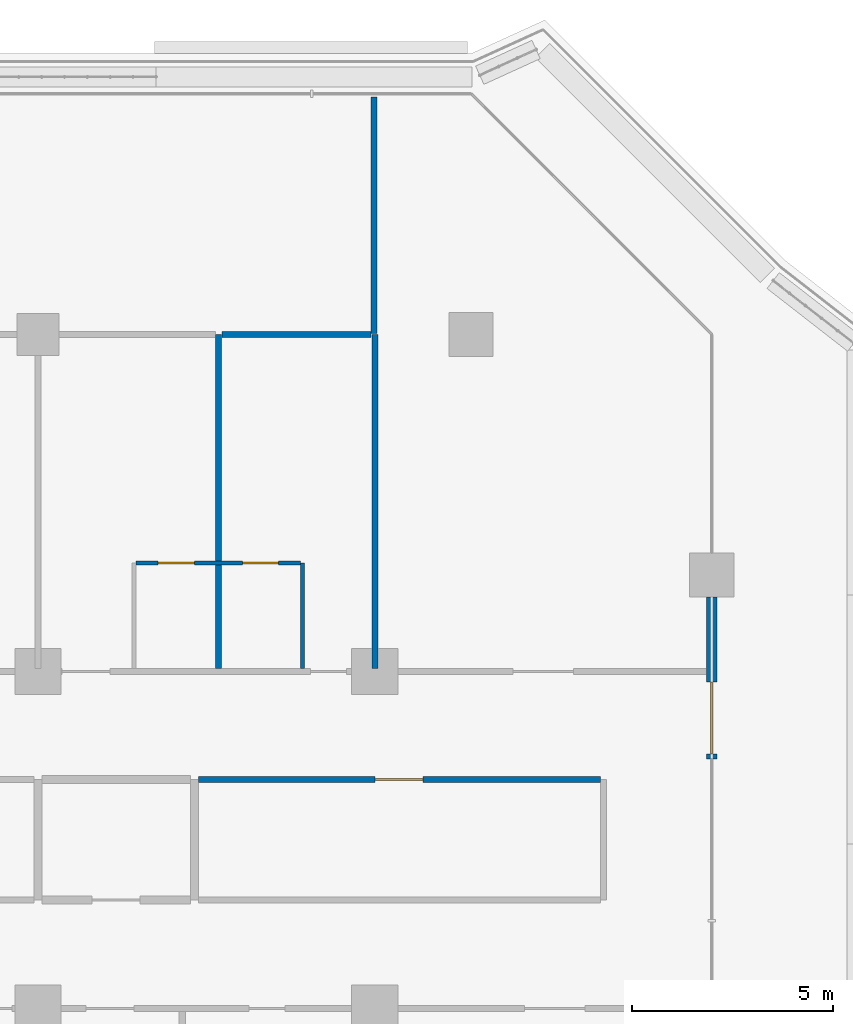
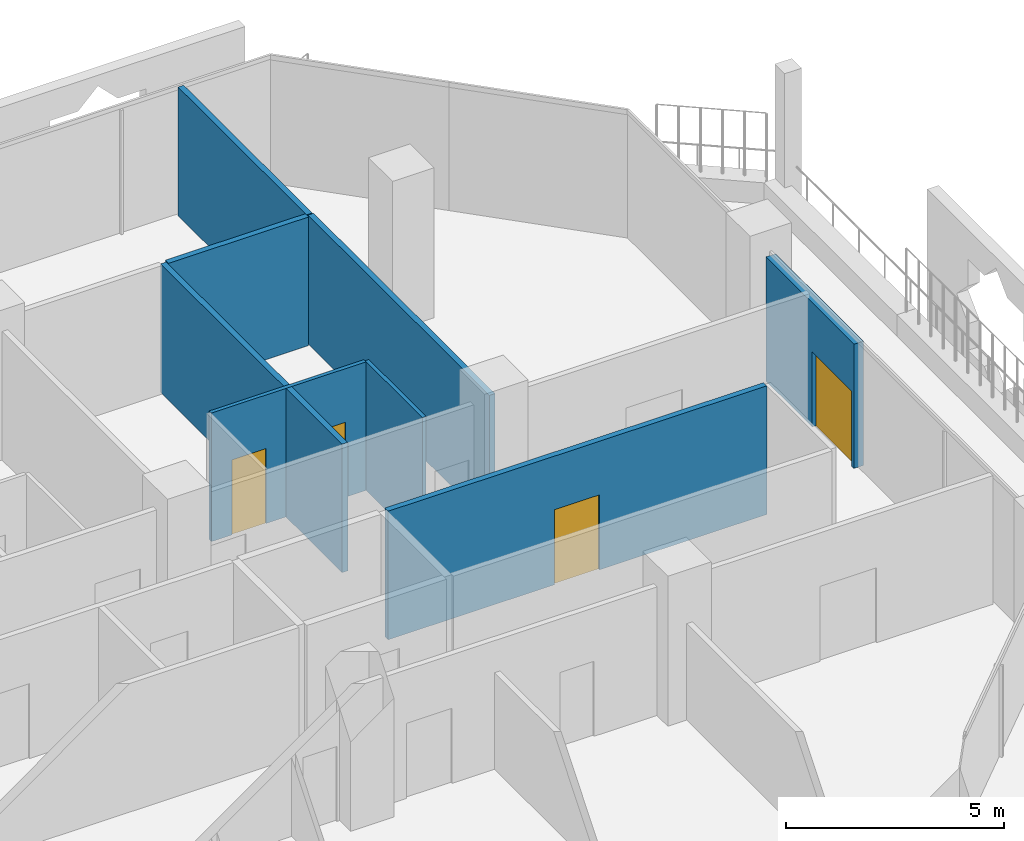
# One storey, part 17 of 25: 8 walls, 4 doors, 4 openings.
"""IFC4 building model written with IfcOpenShell, lengths in metres."""

from ifc_helpers import new_model, si_unit, direction, frame, frame_2d, origin, place, context, subcontext, project, spatial, rectangle, extrude, material, layer, layer_set, type_object, element, fill, save


model = new_model("IFC4")

# Units and contexts
model_context = context("Model", 3, precision=1e-05, world=origin(), true_north=direction((0.0, 1.0)))
body_context = subcontext(model_context, "Body", "Model", "MODEL_VIEW")
ifc_project = project(units=[si_unit("LENGTHUNIT", "METRE"), si_unit("AREAUNIT", "SQUARE_METRE"), si_unit("VOLUMEUNIT", "CUBIC_METRE"), si_unit("PLANEANGLEUNIT", "RADIAN"), si_unit("MASSUNIT", "GRAM", prefix="KILO")], contexts=[model_context])

# Site, building, storey
site_placement = place(None, origin())
site = spatial("IfcSite", under=ifc_project, at=site_placement, CompositionType="ELEMENT")
building_placement = place(site_placement, origin())
building = spatial("IfcBuilding", under=site, at=building_placement, Name="Kawkab Arch Medical Tower", CompositionType="ELEMENT")
storey_placement = place(building_placement, frame((0.0, 0.0, 145.0)))
storey = spatial("IfcBuildingStorey", under=building, at=storey_placement, Name="L33", CompositionType="ELEMENT", Elevation=145.0)

# Wall, opening, door
ifc_material_1 = material(Name="Bronze clad insulated wall panel")
ifc_layer_1 = layer(ifc_material_1, 0.25)
ifc_layer_set_1 = layer_set([ifc_layer_1], Name="Bronze clad insulated wall panel")
wall_type_1 = type_object("IfcWallType", Name="External wall bay 250", PredefinedType="SOLIDWALL", material=ifc_layer_set_1)
wall_1_placement = place(storey_placement, frame((75.60009765625, -10.583251953125, 0.0), z_axis=(0.0, 0.0, 1.0), x_axis=(0.0, 1.0, 0.0)))
wall_1 = element("IfcWall", 1, at=wall_1_placement, inside=storey, type_object=wall_type_1, Name="External wall bay L33.R09.1.3", PredefinedType="SOLIDWALL", context=body_context, shape_type="SweptSolid", body=[
    extrude(rectangle(XDim=4.033203125, YDim=0.25, at=frame_2d((2.0166015625, 0.0))), origin(), (0.0, 0.0, 1.0), 3.47998046875),
])
opening_1_placement = place(wall_1_placement, frame((0.11669921875, 0.0, 0.0)))
opening_1 = element("IfcOpeningElement", 2, at=opening_1_placement, cuts=wall_1, Name="Opening W28-701", PredefinedType="OPENING", context=body_context, shape_type="SweptSolid", body=[
    extrude(rectangle(XDim=1.800048828125, YDim=2.10009765625, at=frame_2d((0.89990234375, 1.050048828125))), frame((0.0, 0.135009765625, 0.0), z_axis=(0.0, -1.0, 0.0), x_axis=(1.0, 0.0, 0.0)), (0.0, 0.0, 1.0), 0.27001953125),
])
ifc_material_2 = material(Name="Bronze anodised aluminium door with tinted glass", Category="aluminium")
door_type_1 = type_object("IfcDoorType", Name="Double external door 1800 x 2100", OperationType="DOUBLE_DOOR_SINGLE_SWING", PredefinedType="DOOR", material=ifc_material_2)
door_1_placement = place(opening_1_placement, origin())
door_1 = element("IfcDoor", 3, at=door_1_placement, inside=storey, type_object=door_type_1, Name="External door L33.R09.1.3", OperationType="DOUBLE_DOOR_SINGLE_SWING", OverallHeight=2.10009765625, OverallWidth=1.800048828125, PredefinedType="DOOR", context=body_context, shape_type="SweptSolid", body=[
    extrude(rectangle(XDim=1.800048828125, YDim=2.10009765625, at=frame_2d((0.89990234375, 1.050048828125))), frame((0.0, 0.02490234375, 0.0), z_axis=(0.0, -1.0, 0.0), x_axis=(1.0, 0.0, 0.0)), (0.0, 0.0, 1.0), 0.050048828125),
])
fill(opening_1, door_1)

# Wall, openings, doors
ifc_material_3 = material(Name="Gypsum board partition on steel studs", Category="steel")
ifc_layer_2 = layer(ifc_material_3, 0.10009765625)
ifc_layer_set_2 = layer_set([ifc_layer_2], Name="Gypsum board partition on steel studs")
wall_type_2 = type_object("IfcWallType", Name="Partition 100", PredefinedType="PARTITIONING", material=ifc_layer_set_2)
wall_2_placement = place(storey_placement, frame((61.25, -5.699951171875, 0.0), z_axis=(0.0, 0.0, 1.0), x_axis=(1.0, 0.0, 0.0)))
wall_2 = element("IfcWall", 4, at=wall_2_placement, inside=storey, type_object=wall_type_2, Name="Partition 100 w008", PredefinedType="PARTITIONING", context=body_context, shape_type="SweptSolid", body=[
    extrude(rectangle(XDim=4.10009765625, YDim=0.10009765625, at=frame_2d((2.050048828125, 0.0))), origin(), (0.0, 0.0, 1.0), 3.60009765625),
])
opening_2_placement = place(wall_2_placement, frame((0.550048828125, 0.0, 0.0)))
opening_2 = element("IfcOpeningElement", 5, at=opening_2_placement, cuts=wall_2, Name="Opening W28-006", PredefinedType="OPENING", context=body_context, shape_type="SweptSolid", body=[
    extrude(rectangle(XDim=0.89990234375, YDim=2.10009765625, at=frame_2d((0.449951171875, 1.050048828125))), frame((0.0, 0.06005859375, 0.0), z_axis=(0.0, -1.0, 0.0), x_axis=(1.0, 0.0, 0.0)), (0.0, 0.0, 1.0), 0.1201171875),
])
opening_3_placement = place(wall_2_placement, frame((2.64990234375, 0.0, 0.0)))
opening_3 = element("IfcOpeningElement", 6, at=opening_3_placement, cuts=wall_2, Name="Opening W28-007", PredefinedType="OPENING", context=body_context, shape_type="SweptSolid", body=[
    extrude(rectangle(XDim=0.89990234375, YDim=2.10009765625, at=frame_2d((0.449951171875, 1.050048828125))), frame((0.0, 0.06005859375, 0.0), z_axis=(0.0, -1.0, 0.0), x_axis=(1.0, 0.0, 0.0)), (0.0, 0.0, 1.0), 0.1201171875),
])
ifc_material_4 = material(Name="Timber door leaf", Category="wood")
door_type_2 = type_object("IfcDoorType", Name="Single door 900x2100", OperationType="NOTDEFINED", PredefinedType="DOOR", material=ifc_material_4)
door_2_placement = place(opening_2_placement, origin())
door_2 = element("IfcDoor", 7, at=door_2_placement, inside=storey, type_object=door_type_2, Name="Door W28-006", OperationType="SINGLE_SWING_LEFT", OverallHeight=2.10009765625, OverallWidth=0.89990234375, PredefinedType="DOOR", context=body_context, shape_type="SweptSolid", body=[
    extrude(rectangle(XDim=0.89990234375, YDim=2.10009765625, at=frame_2d((0.449951171875, 1.050048828125))), frame((0.0, 0.02490234375, 0.0), z_axis=(0.0, -1.0, 0.0), x_axis=(1.0, 0.0, 0.0)), (0.0, 0.0, 1.0), 0.050048828125),
])
fill(opening_2, door_2)
door_3_placement = place(opening_3_placement, origin())
door_3 = element("IfcDoor", 8, at=door_3_placement, inside=storey, type_object=door_type_2, Name="Door W28-007", OperationType="SINGLE_SWING_RIGHT", OverallHeight=2.10009765625, OverallWidth=0.89990234375, PredefinedType="DOOR", context=body_context, shape_type="SweptSolid", body=[
    extrude(rectangle(XDim=0.89990234375, YDim=2.10009765625, at=frame_2d((0.449951171875, 1.050048828125))), frame((0.0, 0.02490234375, 0.0), z_axis=(0.0, -1.0, 0.0), x_axis=(1.0, 0.0, 0.0)), (0.0, 0.0, 1.0), 0.050048828125),
])
fill(opening_3, door_3)

# Wall
wall_3_placement = place(storey_placement, frame((65.39990234375, -8.324951171875, 0.0), z_axis=(0.0, 0.0, 1.0), x_axis=(0.0, 1.0, 0.0)))
element("IfcWall", 9, at=wall_3_placement, inside=storey, type_object=wall_type_2, Name="Partition 100 w018", PredefinedType="PARTITIONING", context=body_context, shape_type="SweptSolid", body=[
    extrude(rectangle(XDim=2.625, YDim=0.10009765625, at=frame_2d((1.3125, 0.0))), origin(), (0.0, 0.0, 1.0), 3.60009765625),
])

# Wall, opening, door
ifc_material_5 = material(Name="Gypsum board partition on steel studs, mineral wool", Category="steel")
ifc_layer_3 = layer(ifc_material_5, 0.14990234375)
ifc_layer_set_3 = layer_set([ifc_layer_3], Name="Gypsum board partition on steel studs, mineral wool")
wall_type_3 = type_object("IfcWallType", Name="Partition 150", PredefinedType="PARTITIONING", material=ifc_layer_set_3)
wall_4_placement = place(storey_placement, frame((62.800048828125, -11.10009765625, 0.0), z_axis=(0.0, 0.0, 1.0), x_axis=(1.0, 0.0, 0.0)))
wall_4 = element("IfcWall", 10, at=wall_4_placement, inside=storey, type_object=wall_type_3, Name="Partition 150 w042", PredefinedType="PARTITIONING", context=body_context, shape_type="SweptSolid", body=[
    extrude(rectangle(XDim=10.02490234375, YDim=0.14990234375, at=frame_2d((5.012451171875, 0.0))), origin(), (0.0, 0.0, 1.0), 3.60009765625),
])
opening_4_placement = place(wall_4_placement, frame((4.39990234375, 0.0, 0.0)))
opening_4 = element("IfcOpeningElement", 11, at=opening_4_placement, cuts=wall_4, Name="Opening W28-038", PredefinedType="OPENING", context=body_context, shape_type="SweptSolid", body=[
    extrude(rectangle(XDim=1.199951171875, YDim=2.10009765625, at=frame_2d((0.60009765625, 1.050048828125))), frame((0.0, 0.0849609375, 0.0), z_axis=(0.0, -1.0, 0.0), x_axis=(1.0, 0.0, 0.0)), (0.0, 0.0, 1.0), 0.169921875),
])
ifc_material_6 = material(Name="Hollow metal door leaf")
door_type_3 = type_object("IfcDoorType", Name="Single door 1200x2100 FD30S", OperationType="NOTDEFINED", PredefinedType="DOOR", material=ifc_material_6)
door_4_placement = place(opening_4_placement, origin())
door_4 = element("IfcDoor", 12, at=door_4_placement, inside=storey, type_object=door_type_3, Name="Door W28-038", OperationType="SINGLE_SWING_LEFT", OverallHeight=2.10009765625, OverallWidth=1.199951171875, PredefinedType="DOOR", context=body_context, shape_type="SweptSolid", body=[
    extrude(rectangle(XDim=1.199951171875, YDim=2.10009765625, at=frame_2d((0.60009765625, 1.050048828125))), frame((0.0, 0.02490234375, 0.0), z_axis=(0.0, -1.0, 0.0), x_axis=(1.0, 0.0, 0.0)), (0.0, 0.0, 1.0), 0.050048828125),
])
fill(opening_4, door_4)

# Walls
wall_5_placement = place(storey_placement, frame((63.39501953125, 0.0, 0.0), z_axis=(0.0, 0.0, 1.0), x_axis=(1.0, 0.0, 0.0)))
element("IfcWall", 13, at=wall_5_placement, inside=storey, type_object=wall_type_3, Name="Partition 150 w051", PredefinedType="PARTITIONING", context=body_context, shape_type="SweptSolid", body=[
    extrude(rectangle(XDim=3.7099609375, YDim=0.14990234375, at=frame_2d((1.85498046875, 0.0))), origin(), (0.0, 0.0, 1.0), 3.60009765625),
])
wall_6_placement = place(storey_placement, frame((63.300048828125, -8.324951171875, 0.0), z_axis=(0.0, 0.0, 1.0), x_axis=(0.0, 1.0, 0.0)))
element("IfcWall", 14, at=wall_6_placement, inside=storey, type_object=wall_type_3, Name="Partition 150 w083", PredefinedType="PARTITIONING", context=body_context, shape_type="SweptSolid", body=[
    extrude(rectangle(XDim=8.324951171875, YDim=0.14990234375, at=frame_2d((4.16259765625, 0.0))), origin(), (0.0, 0.0, 1.0), 3.60009765625),
])
wall_7_placement = place(storey_placement, frame((67.179931640625, 0.02001953125, 0.0), z_axis=(0.0, 0.0, 1.0), x_axis=(0.0, 1.0, 0.0)))
element("IfcWall", 15, at=wall_7_placement, inside=storey, type_object=wall_type_3, Name="Partition 150 w084", PredefinedType="PARTITIONING", context=body_context, shape_type="SweptSolid", body=[
    extrude(rectangle(XDim=5.89990234375, YDim=0.14990234375, at=frame_2d((2.949951171875, 0.0))), origin(), (0.0, 0.0, 1.0), 3.60009765625),
])
wall_8_placement = place(storey_placement, frame((67.199951171875, -8.324951171875, 0.0), z_axis=(0.0, 0.0, 1.0), x_axis=(0.0, 1.0, 0.0)))
element("IfcWall", 16, at=wall_8_placement, inside=storey, type_object=wall_type_3, Name="Partition 150 w086", PredefinedType="PARTITIONING", context=body_context, shape_type="SweptSolid", body=[
    extrude(rectangle(XDim=8.322998046875, YDim=0.14990234375, at=frame_2d((4.16162109375, 0.0))), origin(), (0.0, 0.0, 1.0), 3.60009765625),
])

save(model, "model.ifc")
